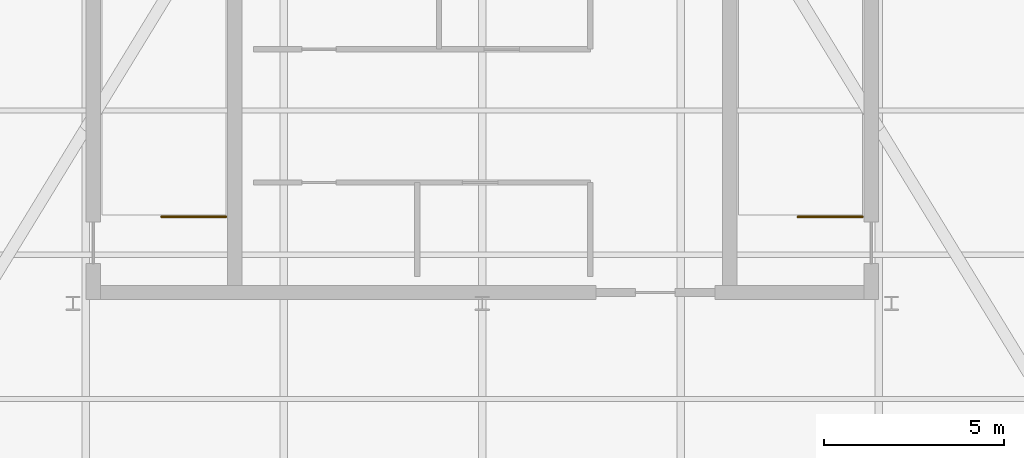
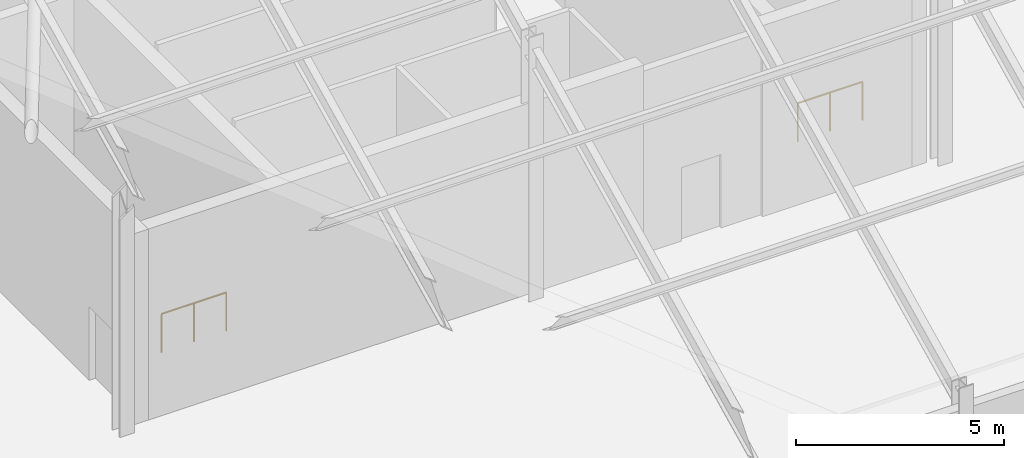
# One storey, part 4 of 4: 2 railings.
"""IFC4 building model written with IfcOpenShell, lengths in metres."""

from ifc_helpers import new_model, si_unit, direction, frame, origin, origin_2d, place, context, subcontext, project, spatial, circle, extrude, material, type_object, element, save


model = new_model("IFC4")

# Units and contexts
model_context = context("Model", 3, precision=1e-05, world=origin(), true_north=direction((0.0, 1.0)))
body_context = subcontext(model_context, "Body", "Model", "MODEL_VIEW")
ifc_project = project(units=[si_unit("LENGTHUNIT", "METRE"), si_unit("AREAUNIT", "SQUARE_METRE"), si_unit("VOLUMEUNIT", "CUBIC_METRE"), si_unit("PLANEANGLEUNIT", "RADIAN"), si_unit("MASSUNIT", "GRAM", prefix="KILO")], contexts=[model_context])

# Site, building, storey
site_placement = place(None, origin())
site = spatial("IfcSite", under=ifc_project, at=site_placement, CompositionType="ELEMENT")
building_placement = place(site_placement, origin())
building = spatial("IfcBuilding", under=site, at=building_placement, Name="Nhamokura Convention Tower", CompositionType="ELEMENT")
storey_placement = place(building_placement, frame((0.0, 0.0, 331.449951171875)))
storey = spatial("IfcBuildingStorey", under=building, at=storey_placement, Name="L81", CompositionType="ELEMENT", Elevation=331.449951171875)

# Railings
ifc_material = material(Name="Painted tubular steel", Category="steel")
railing_type = type_object("IfcRailingType", Name="StairWellGuardrail_1150", PredefinedType="GUARDRAIL", material=ifc_material)
railing_1_placement = place(storey_placement, frame((24.89990234375, 23.050048828125, 0.0)))
element("IfcRailing", 1, at=railing_1_placement, inside=storey, type_object=railing_type, Name="L81 ST-01 top well guard 1", PredefinedType="GUARDRAIL", context=body_context, shape_type="SweptSolid", body=[
    extrude(circle(Radius=0.02392578125, at=origin_2d()), frame((0.0, 0.0, 1.1259765625), z_axis=(-1.0, 0.0, 0.0), x_axis=(0.0, -1.0, 0.0)), (0.0, 0.0, 1.0), 1.7998046875),
    extrude(circle(Radius=0.02099609375, at=origin_2d()), origin(), (0.0, 0.0, 1.0), 1.101806640625),
    extrude(circle(Radius=0.02099609375, at=origin_2d()), frame((-0.89990234375, 0.0, 0.0)), (0.0, 0.0, 1.0), 1.101806640625),
    extrude(circle(Radius=0.02099609375, at=origin_2d()), frame((-1.7998046875, 0.0, 0.0)), (0.0, 0.0, 1.0), 1.101806640625),
])
railing_2_placement = place(storey_placement, frame((42.550048828125, 23.050048828125, 0.0)))
element("IfcRailing", 2, at=railing_2_placement, inside=storey, type_object=railing_type, Name="L81 ST-02 top well guard 1", PredefinedType="GUARDRAIL", context=body_context, shape_type="SweptSolid", body=[
    extrude(circle(Radius=0.02392578125, at=origin_2d()), frame((0.0, 0.0, 1.1259765625), z_axis=(-1.0, 0.0, 0.0), x_axis=(0.0, -1.0, 0.0)), (0.0, 0.0, 1.0), 1.800048828125),
    extrude(circle(Radius=0.02099609375, at=origin_2d()), origin(), (0.0, 0.0, 1.0), 1.101806640625),
    extrude(circle(Radius=0.02099609375, at=origin_2d()), frame((-0.89990234375, 0.0, 0.0)), (0.0, 0.0, 1.0), 1.101806640625),
    extrude(circle(Radius=0.02099609375, at=origin_2d()), frame((-1.800048828125, 0.0, 0.0)), (0.0, 0.0, 1.0), 1.101806640625),
])

save(model, "model.ifc")
